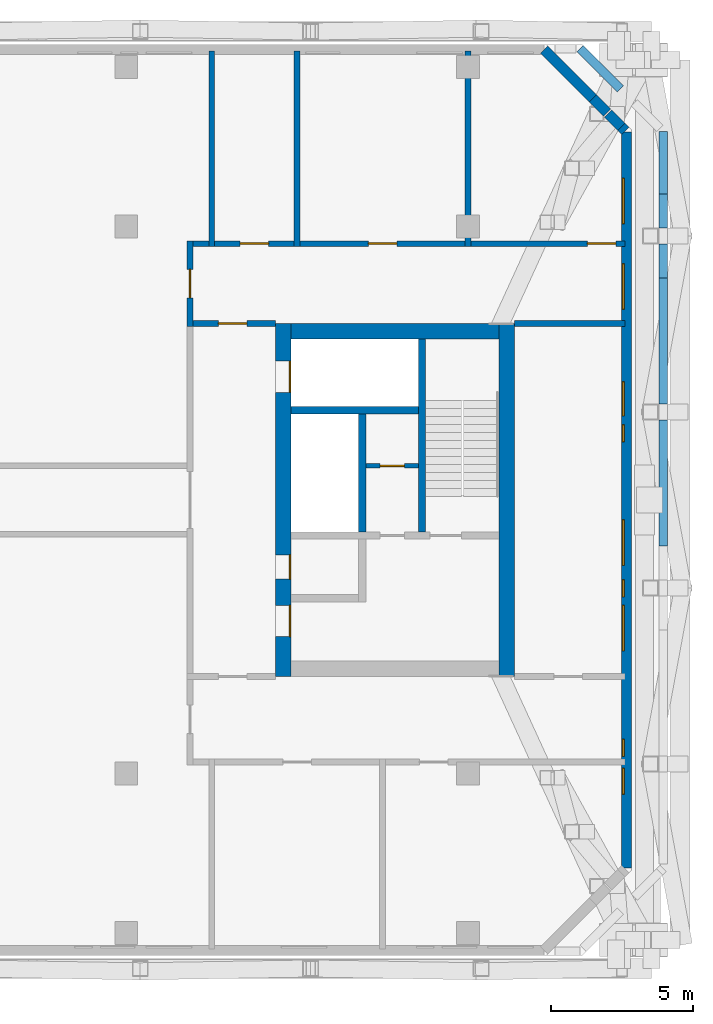
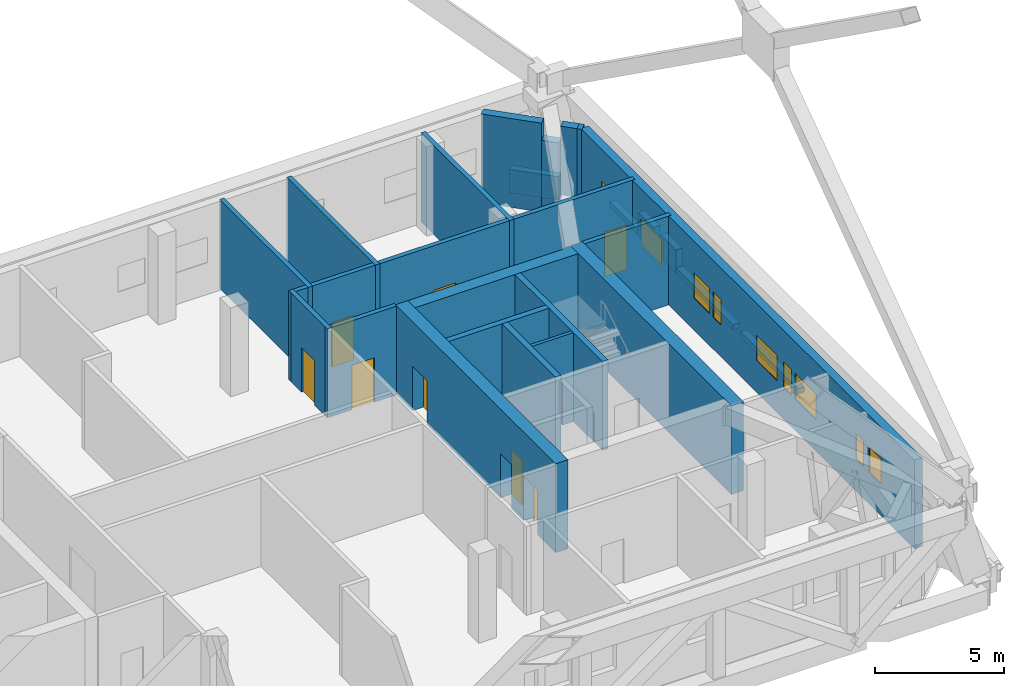
# One storey, part 15 of 22: 25 walls, 9 doors, 9 windows, 18 openings.
"""IFC4 building model written with IfcOpenShell, lengths in metres."""

from ifc_helpers import new_model, si_unit, direction, frame, frame_2d, origin, place, context, subcontext, project, spatial, rectangle, extrude, material, layer, layer_set, type_object, element, fill, save


model = new_model("IFC4")

# Units and contexts
model_context = context("Model", 3, precision=1e-05, world=origin(), true_north=direction((0.0, 1.0)))
body_context = subcontext(model_context, "Body", "Model", "MODEL_VIEW")
ifc_project = project(units=[si_unit("LENGTHUNIT", "METRE"), si_unit("AREAUNIT", "SQUARE_METRE"), si_unit("VOLUMEUNIT", "CUBIC_METRE"), si_unit("PLANEANGLEUNIT", "RADIAN"), si_unit("MASSUNIT", "GRAM", prefix="KILO")], contexts=[model_context])

# Site, building, storey
site_placement = place(None, origin())
site = spatial("IfcSite", under=ifc_project, at=site_placement, CompositionType="ELEMENT")
building_placement = place(site_placement, origin())
building = spatial("IfcBuilding", under=site, at=building_placement, Name="Tuart Gate Housing", CompositionType="ELEMENT")
storey_placement = place(building_placement, frame((0.0, 0.0, 115.0)))
storey = spatial("IfcBuildingStorey", under=building, at=storey_placement, Name="L32", CompositionType="ELEMENT", Elevation=115.0)

# Walls
ifc_material_1 = material(Name="Brick", Category="masonry")
ifc_layer_1 = layer(ifc_material_1, 0.300048828125)
ifc_layer_set_1 = layer_set([ifc_layer_1], Name="Brick parapet wall 300")
wall_type_1 = type_object("IfcWallType", Name="Brick parapet wall 300", PredefinedType="PARAPET", material=ifc_layer_set_1)
for number, where, z_axis, x_axis, name in (
    (1, (173.85009765625, 68.37890625, 0.0), (0.0, 0.0, 1.0), (0.0, 1.0, 0.0), "Roof parapet B 3"),
    (2, (173.85009765625, 73.373046875, 0.0), (0.0, 0.0, 1.0), (0.0, 1.0, 0.0), "Roof parapet B 3"),
):
    element("IfcWall", number, at=place(storey_placement, frame(where, z_axis=z_axis, x_axis=x_axis)), inside=storey, type_object=wall_type_1, Name=name, PredefinedType="PARAPET", context=body_context, shape_type="SweptSolid", body=[
        extrude(rectangle(XDim=4.427978515625, YDim=0.300048828125, at=frame_2d((2.2138671875, 0.0))), origin(), (0.0, 0.0, 1.0), 0.260009765625),
    ])
for number, where, z_axis, x_axis, name in (
    (3, (173.85009765625, 77.801025390625, 0.0), (0.0, 0.0, 1.0), (0.0, 1.0, 0.0), "Roof parapet B 3"),
    (4, (173.85009765625, 79.552978515625, 0.0), (0.0, 0.0, 1.0), (0.0, 1.0, 0.0), "Roof parapet B 3"),
):
    element("IfcWall", number, at=place(storey_placement, frame(where, z_axis=z_axis, x_axis=x_axis)), inside=storey, type_object=wall_type_1, Name=name, PredefinedType="PARAPET", context=body_context, shape_type="SweptSolid", body=[
        extrude(rectangle(XDim=1.18603515625, YDim=0.300048828125, at=frame_2d((0.593017578125, 0.0))), origin(), (0.0, 0.0, 1.0), 1.10009765625),
    ])
wall_1_placement = place(storey_placement, frame((173.85009765625, 80.739013671875, 0.0), z_axis=(0.0, 0.0, 1.0), x_axis=(0.0, 1.0, 0.0)))
element("IfcWall", 5, at=wall_1_placement, inside=storey, type_object=wall_type_1, Name="Roof parapet B 3", PredefinedType="PARAPET", context=body_context, shape_type="SweptSolid", body=[
    extrude(rectangle(XDim=2.198974609375, YDim=0.300048828125, at=frame_2d((1.099609375, 0.0))), origin(), (0.0, 0.0, 1.0), 0.260009765625),
])
wall_2_placement = place(storey_placement, frame((172.351318359375, 84.4365234375, 0.0), z_axis=(0.0, 0.0, 1.0), x_axis=(-0.707045710514, 0.707167846585, 0.0)))
element("IfcWall", 6, at=wall_2_placement, inside=storey, type_object=wall_type_1, Name="Roof parapet B 4", PredefinedType="PARAPET", context=body_context, shape_type="SweptSolid", body=[
    extrude(rectangle(XDim=1.9990234375, YDim=0.300048828125, at=frame_2d((0.99951171875, 0.0))), origin(), (0.0, 0.0, 1.0), 1.10009765625),
])

# Wall, openings, windows
ifc_material_2 = material(Name="Brick", Category="masonry")
ifc_layer_2 = layer(ifc_material_2, 0.360107421875)
ifc_layer_set_2 = layer_set([ifc_layer_2], Name="Brick pier and spandrel wall 360")
wall_type_2 = type_object("IfcWallType", Name="Brick pier and spandrel wall 360", PredefinedType="STANDARD", material=ifc_layer_set_2)
wall_3_placement = place(storey_placement, frame((172.570068359375, 57.07470703125, 0.0), z_axis=(0.0, 0.0, 1.0), x_axis=(0.0, 1.0, 0.0)))
wall_3 = element("IfcWall", 7, at=wall_3_placement, inside=storey, type_object=wall_type_2, Name="External wall B-E L32", PredefinedType="STANDARD", context=body_context, shape_type="SweptSolid", body=[
    extrude(rectangle(XDim=25.850830078125, YDim=0.360107421875, at=frame_2d((12.92529296875, 0.0))), origin(), (0.0, 0.0, 1.0), 4.199951171875),
])
opening_1_placement = place(wall_3_placement, frame((2.60009765625, 0.0, 1.5)))
opening_1 = element("IfcOpeningElement", 8, at=opening_1_placement, cuts=wall_3, Name="Opening W3B", PredefinedType="OPENING", context=body_context, shape_type="SweptSolid", body=[
    extrude(rectangle(XDim=0.89990234375, YDim=1.199951171875, at=frame_2d((0.449951171875, 0.60009765625))), frame((0.0, 0.18994140625, 0.0), z_axis=(0.0, -1.0, 0.0), x_axis=(1.0, 0.0, 0.0)), (0.0, 0.0, 1.0), 0.380126953125),
])
opening_2_placement = place(wall_3_placement, frame((3.92529296875, 0.0, 1.5)))
opening_2 = element("IfcOpeningElement", 9, at=opening_2_placement, cuts=wall_3, Name="Opening W3C", PredefinedType="OPENING", context=body_context, shape_type="SweptSolid", body=[
    extrude(rectangle(XDim=0.60009765625, YDim=1.199951171875, at=frame_2d((0.300048828125, 0.60009765625))), frame((0.0, 0.18994140625, 0.0), z_axis=(0.0, -1.0, 0.0), x_axis=(1.0, 0.0, 0.0)), (0.0, 0.0, 1.0), 0.380126953125),
])
opening_3_placement = place(wall_3_placement, frame((7.62548828125, 0.0, 1.5)))
opening_3 = element("IfcOpeningElement", 10, at=opening_3_placement, cuts=wall_3, Name="Opening W3", PredefinedType="OPENING", context=body_context, shape_type="SweptSolid", body=[
    extrude(rectangle(XDim=1.60009765625, YDim=1.199951171875, at=frame_2d((0.800048828125, 0.60009765625))), frame((0.0, 0.18994140625, 0.0), z_axis=(0.0, -1.0, 0.0), x_axis=(1.0, 0.0, 0.0)), (0.0, 0.0, 1.0), 0.380126953125),
])
opening_4_placement = place(wall_3_placement, frame((10.62548828125, 0.0, 1.5)))
opening_4 = element("IfcOpeningElement", 11, at=opening_4_placement, cuts=wall_3, Name="Opening W3", PredefinedType="OPENING", context=body_context, shape_type="SweptSolid", body=[
    extrude(rectangle(XDim=1.60009765625, YDim=1.199951171875, at=frame_2d((0.800048828125, 0.60009765625))), frame((0.0, 0.18994140625, 0.0), z_axis=(0.0, -1.0, 0.0), x_axis=(1.0, 0.0, 0.0)), (0.0, 0.0, 1.0), 0.380126953125),
])
opening_5_placement = place(wall_3_placement, frame((9.525390625, 0.0, 1.5)))
opening_5 = element("IfcOpeningElement", 12, at=opening_5_placement, cuts=wall_3, Name="Opening W3C", PredefinedType="OPENING", context=body_context, shape_type="SweptSolid", body=[
    extrude(rectangle(XDim=0.60009765625, YDim=1.199951171875, at=frame_2d((0.300048828125, 0.60009765625))), frame((0.0, 0.18994140625, 0.0), z_axis=(0.0, -1.0, 0.0), x_axis=(1.0, 0.0, 0.0)), (0.0, 0.0, 1.0), 0.380126953125),
])
opening_6_placement = place(wall_3_placement, frame((14.975341796875, 0.0, 1.5)))
opening_6 = element("IfcOpeningElement", 13, at=opening_6_placement, cuts=wall_3, Name="Opening W3C", PredefinedType="OPENING", context=body_context, shape_type="SweptSolid", body=[
    extrude(rectangle(XDim=0.60009765625, YDim=1.199951171875, at=frame_2d((0.300048828125, 0.60009765625))), frame((0.0, 0.18994140625, 0.0), z_axis=(0.0, -1.0, 0.0), x_axis=(1.0, 0.0, 0.0)), (0.0, 0.0, 1.0), 0.380126953125),
])
opening_7_placement = place(wall_3_placement, frame((19.62548828125, 0.0, 1.5)))
opening_7 = element("IfcOpeningElement", 14, at=opening_7_placement, cuts=wall_3, Name="Opening W3", PredefinedType="OPENING", context=body_context, shape_type="SweptSolid", body=[
    extrude(rectangle(XDim=1.60009765625, YDim=1.199951171875, at=frame_2d((0.800048828125, 0.60009765625))), frame((0.0, 0.18994140625, 0.0), z_axis=(0.0, -1.0, 0.0), x_axis=(1.0, 0.0, 0.0)), (0.0, 0.0, 1.0), 0.380126953125),
])
opening_8_placement = place(wall_3_placement, frame((22.62548828125, 0.0, 1.5)))
opening_8 = element("IfcOpeningElement", 15, at=opening_8_placement, cuts=wall_3, Name="Opening W3", PredefinedType="OPENING", context=body_context, shape_type="SweptSolid", body=[
    extrude(rectangle(XDim=1.60009765625, YDim=1.199951171875, at=frame_2d((0.800048828125, 0.60009765625))), frame((0.0, 0.18994140625, 0.0), z_axis=(0.0, -1.0, 0.0), x_axis=(1.0, 0.0, 0.0)), (0.0, 0.0, 1.0), 0.380126953125),
])
opening_9_placement = place(wall_3_placement, frame((15.87548828125, 0.0, 1.5)))
opening_9 = element("IfcOpeningElement", 16, at=opening_9_placement, cuts=wall_3, Name="Opening W3A", PredefinedType="OPENING", context=body_context, shape_type="SweptSolid", body=[
    extrude(rectangle(XDim=1.199951171875, YDim=1.199951171875, at=frame_2d((0.60009765625, 0.60009765625))), frame((0.0, 0.18994140625, 0.0), z_axis=(0.0, -1.0, 0.0), x_axis=(1.0, 0.0, 0.0)), (0.0, 0.0, 1.0), 0.380126953125),
])
ifc_material_3 = material(Name="Aluminium louvre blades", Category="aluminium")
window_type_1 = type_object("IfcWindowType", Name="Louvre window 1200 x 1200", PartitioningType="DOUBLE_PANEL_HORIZONTAL", PredefinedType="WINDOW", material=ifc_material_3)
window_1_placement = place(opening_9_placement, origin())
window_1 = element("IfcWindow", 17, at=window_1_placement, inside=storey, type_object=window_type_1, Name="Louvre W3A", OverallHeight=1.199951171875, OverallWidth=1.199951171875, PartitioningType="DOUBLE_PANEL_HORIZONTAL", PredefinedType="WINDOW", context=body_context, shape_type="SweptSolid", body=[
    extrude(rectangle(XDim=1.199951171875, YDim=1.199951171875, at=frame_2d((0.60009765625, 0.60009765625))), frame((0.0, 0.150146484375, 0.0), z_axis=(0.0, -1.0, 0.0), x_axis=(1.0, 0.0, 0.0)), (0.0, 0.0, 1.0), 0.06005859375),
])
fill(opening_9, window_1)
ifc_material_4 = material(Name="Aluminium louvre blades", Category="aluminium")
window_type_2 = type_object("IfcWindowType", Name="Louvre window 1600 x 1200", PartitioningType="DOUBLE_PANEL_HORIZONTAL", PredefinedType="WINDOW", material=ifc_material_4)
window_2_placement = place(opening_3_placement, origin())
window_2 = element("IfcWindow", 18, at=window_2_placement, inside=storey, type_object=window_type_2, Name="Louvre W3", OverallHeight=1.199951171875, OverallWidth=1.60009765625, PartitioningType="DOUBLE_PANEL_HORIZONTAL", PredefinedType="WINDOW", context=body_context, shape_type="SweptSolid", body=[
    extrude(rectangle(XDim=1.60009765625, YDim=1.199951171875, at=frame_2d((0.800048828125, 0.60009765625))), frame((0.0, 0.150146484375, 0.0), z_axis=(0.0, -1.0, 0.0), x_axis=(1.0, 0.0, 0.0)), (0.0, 0.0, 1.0), 0.06005859375),
])
fill(opening_3, window_2)
window_3_placement = place(opening_4_placement, origin())
window_3 = element("IfcWindow", 19, at=window_3_placement, inside=storey, type_object=window_type_2, Name="Louvre W3", OverallHeight=1.199951171875, OverallWidth=1.60009765625, PartitioningType="DOUBLE_PANEL_HORIZONTAL", PredefinedType="WINDOW", context=body_context, shape_type="SweptSolid", body=[
    extrude(rectangle(XDim=1.60009765625, YDim=1.199951171875, at=frame_2d((0.800048828125, 0.60009765625))), frame((0.0, 0.150146484375, 0.0), z_axis=(0.0, -1.0, 0.0), x_axis=(1.0, 0.0, 0.0)), (0.0, 0.0, 1.0), 0.06005859375),
])
fill(opening_4, window_3)
window_4_placement = place(opening_7_placement, origin())
window_4 = element("IfcWindow", 20, at=window_4_placement, inside=storey, type_object=window_type_2, Name="Louvre W3", OverallHeight=1.199951171875, OverallWidth=1.60009765625, PartitioningType="DOUBLE_PANEL_HORIZONTAL", PredefinedType="WINDOW", context=body_context, shape_type="SweptSolid", body=[
    extrude(rectangle(XDim=1.60009765625, YDim=1.199951171875, at=frame_2d((0.800048828125, 0.60009765625))), frame((0.0, 0.150146484375, 0.0), z_axis=(0.0, -1.0, 0.0), x_axis=(1.0, 0.0, 0.0)), (0.0, 0.0, 1.0), 0.06005859375),
])
fill(opening_7, window_4)
window_5_placement = place(opening_8_placement, origin())
window_5 = element("IfcWindow", 21, at=window_5_placement, inside=storey, type_object=window_type_2, Name="Louvre W3", OverallHeight=1.199951171875, OverallWidth=1.60009765625, PartitioningType="DOUBLE_PANEL_HORIZONTAL", PredefinedType="WINDOW", context=body_context, shape_type="SweptSolid", body=[
    extrude(rectangle(XDim=1.60009765625, YDim=1.199951171875, at=frame_2d((0.800048828125, 0.60009765625))), frame((0.0, 0.150146484375, 0.0), z_axis=(0.0, -1.0, 0.0), x_axis=(1.0, 0.0, 0.0)), (0.0, 0.0, 1.0), 0.06005859375),
])
fill(opening_8, window_5)
ifc_material_5 = material(Name="Aluminium louvre blades", Category="aluminium")
window_type_3 = type_object("IfcWindowType", Name="Louvre window 600 x 1200", PartitioningType="DOUBLE_PANEL_HORIZONTAL", PredefinedType="WINDOW", material=ifc_material_5)
window_6_placement = place(opening_2_placement, origin())
window_6 = element("IfcWindow", 22, at=window_6_placement, inside=storey, type_object=window_type_3, Name="Louvre W3C", OverallHeight=1.199951171875, OverallWidth=0.60009765625, PartitioningType="DOUBLE_PANEL_HORIZONTAL", PredefinedType="WINDOW", context=body_context, shape_type="SweptSolid", body=[
    extrude(rectangle(XDim=0.60009765625, YDim=1.199951171875, at=frame_2d((0.300048828125, 0.60009765625))), frame((0.0, 0.150146484375, 0.0), z_axis=(0.0, -1.0, 0.0), x_axis=(1.0, 0.0, 0.0)), (0.0, 0.0, 1.0), 0.06005859375),
])
fill(opening_2, window_6)
window_7_placement = place(opening_5_placement, origin())
window_7 = element("IfcWindow", 23, at=window_7_placement, inside=storey, type_object=window_type_3, Name="Louvre W3C", OverallHeight=1.199951171875, OverallWidth=0.60009765625, PartitioningType="DOUBLE_PANEL_HORIZONTAL", PredefinedType="WINDOW", context=body_context, shape_type="SweptSolid", body=[
    extrude(rectangle(XDim=0.60009765625, YDim=1.199951171875, at=frame_2d((0.300048828125, 0.60009765625))), frame((0.0, 0.150146484375, 0.0), z_axis=(0.0, -1.0, 0.0), x_axis=(1.0, 0.0, 0.0)), (0.0, 0.0, 1.0), 0.06005859375),
])
fill(opening_5, window_7)
window_8_placement = place(opening_6_placement, origin())
window_8 = element("IfcWindow", 24, at=window_8_placement, inside=storey, type_object=window_type_3, Name="Louvre W3C", OverallHeight=1.199951171875, OverallWidth=0.60009765625, PartitioningType="DOUBLE_PANEL_HORIZONTAL", PredefinedType="WINDOW", context=body_context, shape_type="SweptSolid", body=[
    extrude(rectangle(XDim=0.60009765625, YDim=1.199951171875, at=frame_2d((0.300048828125, 0.60009765625))), frame((0.0, 0.150146484375, 0.0), z_axis=(0.0, -1.0, 0.0), x_axis=(1.0, 0.0, 0.0)), (0.0, 0.0, 1.0), 0.06005859375),
])
fill(opening_6, window_8)
ifc_material_6 = material(Name="Aluminium louvre blades", Category="aluminium")
window_type_4 = type_object("IfcWindowType", Name="Louvre window 900 x 1200", PartitioningType="DOUBLE_PANEL_HORIZONTAL", PredefinedType="WINDOW", material=ifc_material_6)
window_9_placement = place(opening_1_placement, origin())
window_9 = element("IfcWindow", 25, at=window_9_placement, inside=storey, type_object=window_type_4, Name="Louvre W3B", OverallHeight=1.199951171875, OverallWidth=0.89990234375, PartitioningType="DOUBLE_PANEL_HORIZONTAL", PredefinedType="WINDOW", context=body_context, shape_type="SweptSolid", body=[
    extrude(rectangle(XDim=0.89990234375, YDim=1.199951171875, at=frame_2d((0.449951171875, 0.60009765625))), frame((0.0, 0.150146484375, 0.0), z_axis=(0.0, -1.0, 0.0), x_axis=(1.0, 0.0, 0.0)), (0.0, 0.0, 1.0), 0.06005859375),
])
fill(opening_1, window_9)

# Walls
wall_4_placement = place(storey_placement, frame((172.53466796875, 82.960693359375, 0.0), z_axis=(0.0, 0.0, 1.0), x_axis=(-0.706503705369, 0.707709343092, 0.0)))
element("IfcWall", 26, at=wall_4_placement, inside=storey, type_object=wall_type_2, Name="External wall B-NE L32", PredefinedType="STANDARD", context=body_context, shape_type="SweptSolid", body=[
    extrude(rectangle(XDim=0.202392578125, YDim=0.360107421875, at=frame_2d((0.10107421875, 0.0))), origin(), (0.0, 0.0, 1.0), 4.199951171875),
])
wall_5_placement = place(storey_placement, frame((172.3916015625, 83.10400390625, 0.952880859375), z_axis=(0.0, 0.0, 1.0), x_axis=(-0.707291043531, 0.706922470814, 0.0)))
element("IfcWall", 27, at=wall_5_placement, inside=storey, type_object=wall_type_2, Name="External wall B-NE L32", PredefinedType="STANDARD", context=body_context, shape_type="SweptSolid", body=[
    extrude(rectangle(XDim=0.662353515625, YDim=0.360107421875, at=frame_2d((0.3310546875, 0.0))), origin(), (0.0, 0.0, 1.0), 3.2470703125),
])
wall_6_placement = place(storey_placement, frame((171.885986328125, 83.609375, 0.0), z_axis=(0.0, 0.0, 1.0), x_axis=(-0.707106781187, 0.707106781187, 0.0)))
element("IfcWall", 28, at=wall_6_placement, inside=storey, type_object=wall_type_2, Name="External wall B-NE L32", PredefinedType="STANDARD", context=body_context, shape_type="SweptSolid", body=[
    extrude(rectangle(XDim=0.70263671875, YDim=0.360107421875, at=frame_2d((0.351318359375, 0.0))), origin(), (0.0, 0.0, 1.0), 3.39697265625),
])
wall_7_placement = place(storey_placement, frame((171.38916015625, 84.106201171875, 0.0), z_axis=(0.0, 0.0, 1.0), x_axis=(-0.707106781187, 0.707106781187, 0.0)))
element("IfcWall", 29, at=wall_7_placement, inside=storey, type_object=wall_type_2, Name="External wall B-NE L32", PredefinedType="STANDARD", context=body_context, shape_type="SweptSolid", body=[
    extrude(rectangle(XDim=2.423828125, YDim=0.360107421875, at=frame_2d((1.2119140625, 0.0))), origin(), (0.0, 0.0, 1.0), 4.199951171875),
])

# Wall, opening, door
ifc_material_7 = material(Name="Plasterboard partition")
ifc_layer_3 = layer(ifc_material_7, 0.14990234375)
ifc_layer_set_3 = layer_set([ifc_layer_3], Name="Core partition 150")
wall_type_3 = type_object("IfcWallType", Name="Core partition 150", PredefinedType="PARTITIONING", material=ifc_layer_set_3)
wall_8_placement = place(storey_placement, frame((163.4150390625, 71.199951171875, 0.0), z_axis=(0.0, 0.0, 1.0), x_axis=(1.0, 0.0, 0.0)))
wall_8 = element("IfcWall", 30, at=wall_8_placement, inside=storey, type_object=wall_type_3, Name="Core partition BK.2", PredefinedType="PARTITIONING", context=body_context, shape_type="SweptSolid", body=[
    extrude(rectangle(XDim=1.849853515625, YDim=0.14990234375, at=frame_2d((0.9248046875, 0.0))), origin(), (0.0, 0.0, 1.0), 4.199951171875),
])
opening_10_placement = place(wall_8_placement, frame((0.5, 0.0, 0.0)))
opening_10 = element("IfcOpeningElement", 31, at=opening_10_placement, cuts=wall_8, Name="Opening D3420", PredefinedType="OPENING", context=body_context, shape_type="SweptSolid", body=[
    extrude(rectangle(XDim=0.85009765625, YDim=2.10009765625, at=frame_2d((0.425048828125, 1.050048828125))), frame((0.0, 0.0849609375, 0.0), z_axis=(0.0, -1.0, 0.0), x_axis=(1.0, 0.0, 0.0)), (0.0, 0.0, 1.0), 0.169921875),
])
ifc_material_8 = material(Name="Steel fire door", Category="steel")
door_type_1 = type_object("IfcDoorType", Name="Service door 850 x 2100 RH", OperationType="SINGLE_SWING_RIGHT", PredefinedType="DOOR", material=ifc_material_8)
door_1_placement = place(opening_10_placement, frame((0.85009765625, 0.0, 0.0), z_axis=(0.0, 0.0, 1.0), x_axis=(-1.0, 0.0, 0.0)))
door_1 = element("IfcDoor", 32, at=door_1_placement, inside=storey, type_object=door_type_1, Name="Service room door BK.W2", OperationType="SINGLE_SWING_RIGHT", OverallHeight=2.10009765625, OverallWidth=0.85009765625, PredefinedType="DOOR", context=body_context, shape_type="SweptSolid", body=[
    extrude(rectangle(XDim=0.85009765625, YDim=2.10009765625, at=frame_2d((0.425048828125, 1.050048828125))), frame((0.0, 0.025146484375, 0.0), z_axis=(0.0, -1.0, 0.0), x_axis=(1.0, 0.0, 0.0)), (0.0, 0.0, 1.0), 0.050048828125),
])
fill(opening_10, door_1)

# Walls
ifc_material_9 = material(Name="Concrete C50", Category="concrete")
ifc_layer_4 = layer(ifc_material_9, 0.25)
ifc_layer_set_4 = layer_set([ifc_layer_4], Name="Core wall 250 C50")
wall_type_4 = type_object("IfcWallType", Name="Core wall 250 C50", PredefinedType="SHEAR", material=ifc_layer_set_4)
wall_9_placement = place(storey_placement, frame((160.7900390625, 73.14990234375, 0.0), z_axis=(0.0, 0.0, 1.0), x_axis=(1.0, 0.0, 0.0)))
element("IfcWall", 33, at=wall_9_placement, inside=storey, type_object=wall_type_4, Name="Core wall BK.1", PredefinedType="SHEAR", context=body_context, shape_type="SweptSolid", body=[
    extrude(rectangle(XDim=4.474853515625, YDim=0.25, at=frame_2d((2.2373046875, 0.0))), origin(), (0.0, 0.0, 1.0), 4.199951171875),
])
wall_10_placement = place(storey_placement, frame((163.2900390625, 73.02490234375, 0.0), z_axis=(0.0, 0.0, 1.0), x_axis=(0.0, -1.0, 0.0)))
element("IfcWall", 34, at=wall_10_placement, inside=storey, type_object=wall_type_4, Name="Core wall BK.5", PredefinedType="SHEAR", context=body_context, shape_type="SweptSolid", body=[
    extrude(rectangle(XDim=4.14990234375, YDim=0.25, at=frame_2d((2.074951171875, 0.0))), origin(), (0.0, 0.0, 1.0), 4.199951171875),
])
wall_11_placement = place(storey_placement, frame((165.389892578125, 75.64990234375, 0.0), z_axis=(0.0, 0.0, 1.0), x_axis=(0.0, -1.0, 0.0)))
element("IfcWall", 35, at=wall_11_placement, inside=storey, type_object=wall_type_4, Name="Core wall BK.7", PredefinedType="SHEAR", context=body_context, shape_type="SweptSolid", body=[
    extrude(rectangle(XDim=6.77490234375, YDim=0.25, at=frame_2d((3.387451171875, 0.0))), origin(), (0.0, 0.0, 1.0), 4.199951171875),
])

# Wall, openings, doors
ifc_material_10 = material(Name="Concrete C50", Category="concrete")
ifc_layer_5 = layer(ifc_material_10, 0.550048828125)
ifc_layer_set_5 = layer_set([ifc_layer_5], Name="Core wall 550 C50")
wall_type_5 = type_object("IfcWallType", Name="Core wall 550 C50", PredefinedType="SHEAR", material=ifc_layer_set_5)
wall_12_placement = place(storey_placement, frame((160.514892578125, 76.199951171875, 0.0), z_axis=(0.0, 0.0, 1.0), x_axis=(0.0, -1.0, 0.0)))
wall_12 = element("IfcWall", 36, at=wall_12_placement, inside=storey, type_object=wall_type_5, Name="Core wall BK front", PredefinedType="SHEAR", context=body_context, shape_type="SweptSolid", body=[
    extrude(rectangle(XDim=12.39990234375, YDim=0.550048828125, at=frame_2d((6.199951171875, 0.0))), origin(), (0.0, 0.0, 1.0), 4.199951171875),
])
opening_11_placement = place(wall_12_placement, frame((1.324951171875, 0.0, 0.0)))
opening_11 = element("IfcOpeningElement", 37, at=opening_11_placement, cuts=wall_12, Name="Opening LD-FB2", PredefinedType="OPENING", context=body_context, shape_type="SweptSolid", body=[
    extrude(rectangle(XDim=1.10009765625, YDim=2.10009765625, at=frame_2d((0.550048828125, 1.050048828125))), frame((0.0, 0.284912109375, 0.0), z_axis=(0.0, -1.0, 0.0), x_axis=(1.0, 0.0, 0.0)), (0.0, 0.0, 1.0), 0.570068359375),
])
opening_12_placement = place(wall_12_placement, frame((9.89990234375, 0.0, 0.0)))
opening_12 = element("IfcOpeningElement", 38, at=opening_12_placement, cuts=wall_12, Name="Opening D3425", PredefinedType="OPENING", context=body_context, shape_type="SweptSolid", body=[
    extrude(rectangle(XDim=1.10009765625, YDim=2.10009765625, at=frame_2d((0.550048828125, 1.050048828125))), frame((0.0, 0.284912109375, 0.0), z_axis=(0.0, -1.0, 0.0), x_axis=(1.0, 0.0, 0.0)), (0.0, 0.0, 1.0), 0.570068359375),
])
opening_13_placement = place(wall_12_placement, frame((8.125, 0.0, 0.0)))
opening_13 = element("IfcOpeningElement", 39, at=opening_13_placement, cuts=wall_12, Name="Opening D3426", PredefinedType="OPENING", context=body_context, shape_type="SweptSolid", body=[
    extrude(rectangle(XDim=0.85009765625, YDim=2.10009765625, at=frame_2d((0.425048828125, 1.050048828125))), frame((0.0, 0.284912109375, 0.0), z_axis=(0.0, -1.0, 0.0), x_axis=(1.0, 0.0, 0.0)), (0.0, 0.0, 1.0), 0.570068359375),
])
ifc_material_11 = material(Name="Stainless steel", Category="steel")
door_type_2 = type_object("IfcDoorType", Name="Landing door 1100 x 2100", OperationType="DOUBLE_DOOR_SLIDING", PredefinedType="DOOR", material=ifc_material_11)
door_2_placement = place(opening_11_placement, origin())
door_2 = element("IfcDoor", 40, at=door_2_placement, inside=storey, type_object=door_type_2, Name="Lift landing door FB2", OperationType="DOUBLE_DOOR_SLIDING", OverallHeight=2.10009765625, OverallWidth=1.10009765625, PredefinedType="DOOR", context=body_context, shape_type="SweptSolid", body=[
    extrude(rectangle(XDim=1.10009765625, YDim=2.10009765625, at=frame_2d((0.550048828125, 1.050048828125))), frame((0.0, 0.26025390625, 0.0), z_axis=(0.0, -1.0, 0.0), x_axis=(1.0, 0.0, 0.0)), (0.0, 0.0, 1.0), 0.050048828125),
])
fill(opening_11, door_2)
ifc_material_12 = material(Name="Steel fire door", Category="steel")
door_type_3 = type_object("IfcDoorType", Name="Lobby door 1100 x 2100", OperationType="SINGLE_SWING_LEFT", PredefinedType="DOOR", material=ifc_material_12)
door_3_placement = place(opening_12_placement, origin())
door_3 = element("IfcDoor", 41, at=door_3_placement, inside=storey, type_object=door_type_3, Name="Lobby entry door BK.EN", OperationType="SINGLE_SWING_LEFT", OverallHeight=2.10009765625, OverallWidth=1.10009765625, PredefinedType="DOOR", context=body_context, shape_type="SweptSolid", body=[
    extrude(rectangle(XDim=1.10009765625, YDim=2.10009765625, at=frame_2d((0.550048828125, 1.050048828125))), frame((0.0, 0.26025390625, 0.0), z_axis=(0.0, -1.0, 0.0), x_axis=(1.0, 0.0, 0.0)), (0.0, 0.0, 1.0), 0.050048828125),
])
fill(opening_12, door_3)
ifc_material_13 = material(Name="Steel fire door", Category="steel")
door_type_4 = type_object("IfcDoorType", Name="Service door 850 x 2100", OperationType="SINGLE_SWING_LEFT", PredefinedType="DOOR", material=ifc_material_13)
door_4_placement = place(opening_13_placement, origin())
door_4 = element("IfcDoor", 42, at=door_4_placement, inside=storey, type_object=door_type_4, Name="Service room door BK.T1", OperationType="SINGLE_SWING_LEFT", OverallHeight=2.10009765625, OverallWidth=0.85009765625, PredefinedType="DOOR", context=body_context, shape_type="SweptSolid", body=[
    extrude(rectangle(XDim=0.85009765625, YDim=2.10009765625, at=frame_2d((0.425048828125, 1.050048828125))), frame((0.0, 0.26025390625, 0.0), z_axis=(0.0, -1.0, 0.0), x_axis=(1.0, 0.0, 0.0)), (0.0, 0.0, 1.0), 0.050048828125),
])
fill(opening_13, door_4)

# Walls
wall_13_placement = place(storey_placement, frame((168.364990234375, 76.199951171875, 0.0), z_axis=(0.0, 0.0, 1.0), x_axis=(0.0, -1.0, 0.0)))
element("IfcWall", 43, at=wall_13_placement, inside=storey, type_object=wall_type_5, Name="Core wall BK back", PredefinedType="SHEAR", context=body_context, shape_type="SweptSolid", body=[
    extrude(rectangle(XDim=12.39990234375, YDim=0.550048828125, at=frame_2d((6.199951171875, 0.0))), origin(), (0.0, 0.0, 1.0), 4.199951171875),
])
wall_14_placement = place(storey_placement, frame((160.7900390625, 75.925048828125, 0.0), z_axis=(0.0, 0.0, 1.0), x_axis=(1.0, 0.0, 0.0)))
element("IfcWall", 44, at=wall_14_placement, inside=storey, type_object=wall_type_5, Name="Core wall BK south", PredefinedType="SHEAR", context=body_context, shape_type="SweptSolid", body=[
    extrude(rectangle(XDim=7.300048828125, YDim=0.550048828125, at=frame_2d((3.64990234375, 0.0))), origin(), (0.0, 0.0, 1.0), 4.199951171875),
])
ifc_material_14 = material(Name="Concrete masonry 15 MPa", Category="masonry")
ifc_layer_6 = layer(ifc_material_14, 0.199951171875)
ifc_layer_set_6 = layer_set([ifc_layer_6], Name="Enclosure wall masonry 200")
wall_type_6 = type_object("IfcWallType", Name="Enclosure wall masonry 200", PredefinedType="PARTITIONING", material=ifc_layer_set_6)
wall_15_placement = place(storey_placement, frame((168.639892578125, 76.199951171875, 0.0), z_axis=(0.0, 0.0, 1.0), x_axis=(1.0, 0.0, 0.0)))
element("IfcWall", 45, at=wall_15_placement, inside=storey, type_object=wall_type_6, Name="Enclosure wall masonry 200", PredefinedType="PARTITIONING", context=body_context, shape_type="SweptSolid", body=[
    extrude(rectangle(XDim=3.8701171875, YDim=0.199951171875, at=frame_2d((1.93505859375, 0.0))), origin(), (0.0, 0.0, 1.0), 4.199951171875),
])

# Wall, opening, door
wall_16_placement = place(storey_placement, frame((157.139892578125, 76.199951171875, 0.0), z_axis=(0.0, 0.0, 1.0), x_axis=(1.0, 0.0, 0.0)))
wall_16 = element("IfcWall", 46, at=wall_16_placement, inside=storey, type_object=wall_type_6, Name="Enclosure wall masonry 200", PredefinedType="PARTITIONING", context=body_context, shape_type="SweptSolid", body=[
    extrude(rectangle(XDim=3.10009765625, YDim=0.199951171875, at=frame_2d((1.550048828125, 0.0))), origin(), (0.0, 0.0, 1.0), 4.199951171875),
])
opening_14_placement = place(wall_16_placement, frame((1.10009765625, 0.0, 0.0)))
opening_14 = element("IfcOpeningElement", 47, at=opening_14_placement, cuts=wall_16, Name="Opening D3416", PredefinedType="OPENING", context=body_context, shape_type="SweptSolid", body=[
    extrude(rectangle(XDim=1.0, YDim=2.10009765625, at=frame_2d((0.5, 1.050048828125))), frame((0.0, 0.10986328125, 0.0), z_axis=(0.0, -1.0, 0.0), x_axis=(1.0, 0.0, 0.0)), (0.0, 0.0, 1.0), 0.219970703125),
])
ifc_material_15 = material(Name="Timber door leaf in steel frame", Category="steel")
door_type_5 = type_object("IfcDoorType", Name="Lobby door 1000", OperationType="SINGLE_SWING_LEFT", PredefinedType="DOOR", material=ifc_material_15)
door_5_placement = place(opening_14_placement, origin())
door_5 = element("IfcDoor", 48, at=door_5_placement, inside=storey, type_object=door_type_5, Name="Lobby door 1000", OperationType="SINGLE_SWING_LEFT", OverallHeight=2.10009765625, OverallWidth=1.0, PredefinedType="DOOR", context=body_context, shape_type="SweptSolid", body=[
    extrude(rectangle(XDim=1.0, YDim=2.10009765625, at=frame_2d((0.5, 1.050048828125))), frame((0.0, 0.02490234375, 0.0), z_axis=(0.0, -1.0, 0.0), x_axis=(1.0, 0.0, 0.0)), (0.0, 0.0, 1.0), 0.050048828125),
])
fill(opening_14, door_5)

# Wall, openings, doors
wall_17_placement = place(storey_placement, frame((157.139892578125, 79.0, 0.0), z_axis=(0.0, 0.0, 1.0), x_axis=(1.0, 0.0, 0.0)))
wall_17 = element("IfcWall", 49, at=wall_17_placement, inside=storey, type_object=wall_type_6, Name="Enclosure wall masonry 200", PredefinedType="PARTITIONING", context=body_context, shape_type="SweptSolid", body=[
    extrude(rectangle(XDim=15.3701171875, YDim=0.199951171875, at=frame_2d((7.68505859375, 0.0))), origin(), (0.0, 0.0, 1.0), 4.199951171875),
])
opening_15_placement = place(wall_17_placement, frame((1.860107421875, 0.0, 0.0)))
opening_15 = element("IfcOpeningElement", 50, at=opening_15_placement, cuts=wall_17, Name="Opening D3410", PredefinedType="OPENING", context=body_context, shape_type="SweptSolid", body=[
    extrude(rectangle(XDim=1.0, YDim=2.10009765625, at=frame_2d((0.5, 1.050048828125))), frame((0.0, 0.10986328125, 0.0), z_axis=(0.0, -1.0, 0.0), x_axis=(1.0, 0.0, 0.0)), (0.0, 0.0, 1.0), 0.219970703125),
])
opening_16_placement = place(wall_17_placement, frame((6.360107421875, 0.0, 0.0)))
opening_16 = element("IfcOpeningElement", 51, at=opening_16_placement, cuts=wall_17, Name="Opening D3411", PredefinedType="OPENING", context=body_context, shape_type="SweptSolid", body=[
    extrude(rectangle(XDim=1.0, YDim=2.10009765625, at=frame_2d((0.5, 1.050048828125))), frame((0.0, 0.10986328125, 0.0), z_axis=(0.0, -1.0, 0.0), x_axis=(1.0, 0.0, 0.0)), (0.0, 0.0, 1.0), 0.219970703125),
])
opening_17_placement = place(wall_17_placement, frame((14.050048828125, 0.0, 0.0)))
opening_17 = element("IfcOpeningElement", 52, at=opening_17_placement, cuts=wall_17, Name="Opening D3412", PredefinedType="OPENING", context=body_context, shape_type="SweptSolid", body=[
    extrude(rectangle(XDim=1.0, YDim=2.10009765625, at=frame_2d((0.5, 1.050048828125))), frame((0.0, 0.10986328125, 0.0), z_axis=(0.0, -1.0, 0.0), x_axis=(1.0, 0.0, 0.0)), (0.0, 0.0, 1.0), 0.219970703125),
])
ifc_material_16 = material(Name="Timber door leaf in steel frame", Category="steel")
door_type_6 = type_object("IfcDoorType", Name="Fire door 1000", OperationType="SINGLE_SWING_LEFT", PredefinedType="DOOR", material=ifc_material_16)
door_6_placement = place(opening_15_placement, origin())
door_6 = element("IfcDoor", 53, at=door_6_placement, inside=storey, type_object=door_type_6, Name="Fire door 1000", OperationType="SINGLE_SWING_LEFT", OverallHeight=2.10009765625, OverallWidth=1.0, PredefinedType="DOOR", context=body_context, shape_type="SweptSolid", body=[
    extrude(rectangle(XDim=1.0, YDim=2.10009765625, at=frame_2d((0.5, 1.050048828125))), frame((0.0, 0.02490234375, 0.0), z_axis=(0.0, -1.0, 0.0), x_axis=(1.0, 0.0, 0.0)), (0.0, 0.0, 1.0), 0.050048828125),
])
fill(opening_15, door_6)
door_7_placement = place(opening_16_placement, origin())
door_7 = element("IfcDoor", 54, at=door_7_placement, inside=storey, type_object=door_type_6, Name="Fire door 1000", OperationType="SINGLE_SWING_LEFT", OverallHeight=2.10009765625, OverallWidth=1.0, PredefinedType="DOOR", context=body_context, shape_type="SweptSolid", body=[
    extrude(rectangle(XDim=1.0, YDim=2.10009765625, at=frame_2d((0.5, 1.050048828125))), frame((0.0, 0.02490234375, 0.0), z_axis=(0.0, -1.0, 0.0), x_axis=(1.0, 0.0, 0.0)), (0.0, 0.0, 1.0), 0.050048828125),
])
fill(opening_16, door_7)
ifc_material_17 = material(Name="Timber door leaf in steel frame", Category="steel")
door_type_7 = type_object("IfcDoorType", Name="Fire door 1000 RH", OperationType="SINGLE_SWING_RIGHT", PredefinedType="DOOR", material=ifc_material_17)
door_8_placement = place(opening_17_placement, origin())
door_8 = element("IfcDoor", 55, at=door_8_placement, inside=storey, type_object=door_type_7, Name="Fire door 1000", OperationType="SINGLE_SWING_RIGHT", OverallHeight=2.10009765625, OverallWidth=1.0, PredefinedType="DOOR", context=body_context, shape_type="SweptSolid", body=[
    extrude(rectangle(XDim=1.0, YDim=2.10009765625, at=frame_2d((0.5, 1.050048828125))), frame((0.0, 0.02490234375, 0.0), z_axis=(0.0, -1.0, 0.0), x_axis=(1.0, 0.0, 0.0)), (0.0, 0.0, 1.0), 0.050048828125),
])
fill(opening_17, door_8)

# Wall, opening, door
wall_18_placement = place(storey_placement, frame((157.239990234375, 76.10009765625, 0.0), z_axis=(0.0, 0.0, 1.0), x_axis=(0.0, 1.0, 0.0)))
wall_18 = element("IfcWall", 56, at=wall_18_placement, inside=storey, type_object=wall_type_6, Name="Enclosure wall masonry 200", PredefinedType="PARTITIONING", context=body_context, shape_type="SweptSolid", body=[
    extrude(rectangle(XDim=3.0, YDim=0.199951171875, at=frame_2d((1.5, 0.0))), origin(), (0.0, 0.0, 1.0), 4.199951171875),
])
opening_18_placement = place(wall_18_placement, frame((1.0, 0.0, 0.0)))
opening_18 = element("IfcOpeningElement", 57, at=opening_18_placement, cuts=wall_18, Name="Opening D3414", PredefinedType="OPENING", context=body_context, shape_type="SweptSolid", body=[
    extrude(rectangle(XDim=1.0, YDim=2.10009765625, at=frame_2d((0.5, 1.050048828125))), frame((0.0, 0.10986328125, 0.0), z_axis=(0.0, -1.0, 0.0), x_axis=(1.0, 0.0, 0.0)), (0.0, 0.0, 1.0), 0.219970703125),
])
door_9_placement = place(opening_18_placement, origin())
door_9 = element("IfcDoor", 58, at=door_9_placement, inside=storey, type_object=door_type_6, Name="Fire door 1000", OperationType="SINGLE_SWING_LEFT", OverallHeight=2.10009765625, OverallWidth=1.0, PredefinedType="DOOR", context=body_context, shape_type="SweptSolid", body=[
    extrude(rectangle(XDim=1.0, YDim=2.10009765625, at=frame_2d((0.5, 1.050048828125))), frame((0.0, 0.02490234375, 0.0), z_axis=(0.0, -1.0, 0.0), x_axis=(1.0, 0.0, 0.0)), (0.0, 0.0, 1.0), 0.050048828125),
])
fill(opening_18, door_9)

# Walls
for number, where, z_axis, x_axis, name in (
    (59, (158.0, 78.89990234375, 0.0), (0.0, 0.0, 1.0), (0.0, 1.0, 0.0), "Enclosure wall masonry 200"),
    (60, (161.0, 78.89990234375, 0.0), (0.0, 0.0, 1.0), (0.0, 1.0, 0.0), "Enclosure wall masonry 200"),
    (61, (167.0, 78.89990234375, 0.0), (0.0, 0.0, 1.0), (0.0, 1.0, 0.0), "Enclosure wall masonry 200"),
):
    element("IfcWall", number, at=place(storey_placement, frame(where, z_axis=z_axis, x_axis=x_axis)), inside=storey, type_object=wall_type_6, Name=name, PredefinedType="PARTITIONING", context=body_context, shape_type="SweptSolid", body=[
        extrude(rectangle(XDim=6.860107421875, YDim=0.199951171875, at=frame_2d((3.43017578125, 0.0))), origin(), (0.0, 0.0, 1.0), 4.199951171875),
    ])

save(model, "model.ifc")
